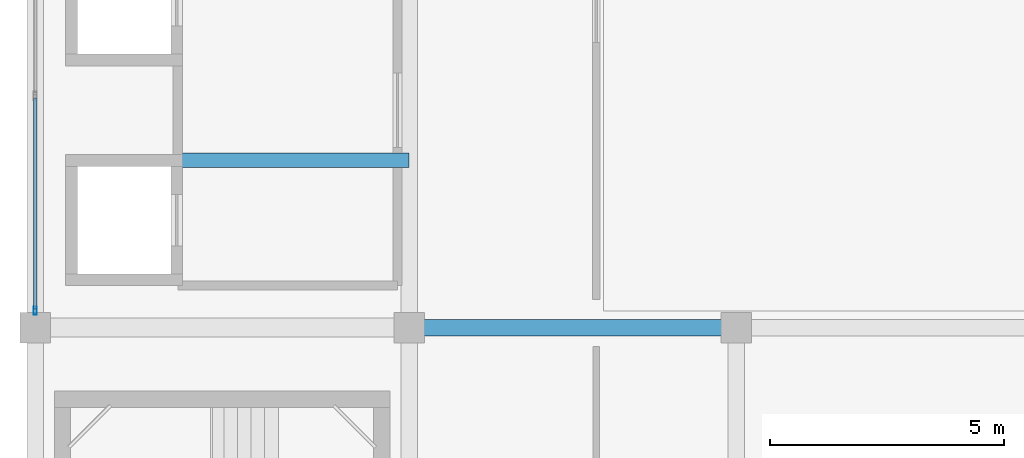
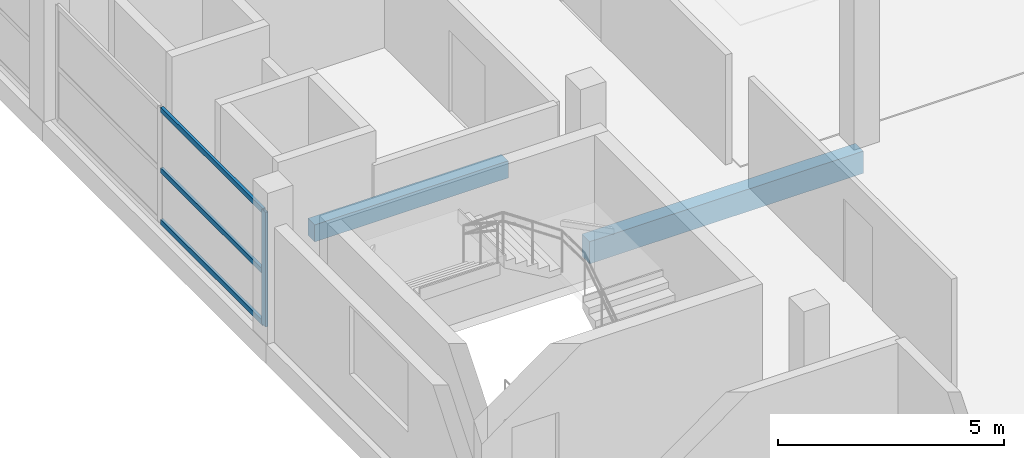
# One storey, part 6 of 66: 4 members, 2 beams, 1 element without a shape of its own.
"""IFC4 building model written with IfcOpenShell, lengths in metres."""

from ifc_helpers import new_model, si_unit, direction, frame, origin, origin_2d, place, context, subcontext, project, spatial, rectangle, hollow_rectangle, extrude, material, layer, layer_set, material_profile, profile_set, type_object, element, aggregate, save


model = new_model("IFC4")

# Units and contexts
model_context = context("Model", 3, precision=1e-05, world=origin(), true_north=direction((0.0, 1.0)))
body_context = subcontext(model_context, "Body", "Model", "MODEL_VIEW")
ifc_project = project(units=[si_unit("LENGTHUNIT", "METRE"), si_unit("AREAUNIT", "SQUARE_METRE"), si_unit("VOLUMEUNIT", "CUBIC_METRE"), si_unit("PLANEANGLEUNIT", "RADIAN"), si_unit("MASSUNIT", "GRAM", prefix="KILO")], contexts=[model_context])

# Site, building, storey
site_placement = place(None, origin())
site = spatial("IfcSite", under=ifc_project, at=site_placement, CompositionType="ELEMENT")
building_placement = place(site_placement, origin())
building = spatial("IfcBuilding", under=site, at=building_placement, Name="Sillaruma Civic Art Gallery", CompositionType="ELEMENT")
storey_placement = place(building_placement, frame((0.0, 0.0, 62.219970703125)))
storey = spatial("IfcBuildingStorey", under=building, at=storey_placement, Name="L12", CompositionType="ELEMENT", Elevation=62.219970703125)

# Beams
ifc_material_1 = material(Name="Concrete H35 (35 MPa)", Category="concrete")
ifc_material_profile_1 = material_profile(ifc_material_1, rectangle(XDim=0.35009765625, YDim=0.60009765625, at=origin_2d()), Name="RCB350x600")
ifc_profile_set_1 = profile_set([ifc_material_profile_1], Name="Concrete H35 (35 MPa)")
beam_type_1 = type_object("IfcBeamType", Name="BM-BEAM-RCB350x600", PredefinedType="BEAM", material=ifc_profile_set_1)
beam_1_placement = place(storey_placement, frame((70.0, 39.60009765625, -0.530029296875), z_axis=(1.0, 0.0, 0.0), x_axis=(0.0, 1.0, 0.0)))
element("IfcBeam", 1, at=beam_1_placement, inside=storey, type_object=beam_type_1, Name="Beam BM-06 (L11:5:G-H)", PredefinedType="BEAM", context=body_context, shape_type="SweptSolid", body=[
    extrude(rectangle(XDim=0.35009765625, YDim=0.60009765625, at=origin_2d()), origin(), (0.0, 0.0, 1.0), 7.0),
])
ifc_material_profile_2 = material_profile(ifc_material_1, rectangle(XDim=0.300048828125, YDim=0.4599609375, at=origin_2d()), Name="RCB300x460")
ifc_profile_set_2 = profile_set([ifc_material_profile_2], Name="Concrete H35 (35 MPa)")
beam_type_2 = type_object("IfcBeamType", Name="BM-LINTEL-RCB300x460", PredefinedType="LINTEL", material=ifc_profile_set_2)
beam_2_placement = place(storey_placement, frame((65.050048828125, 43.179931640625, -0.4599609375), z_axis=(1.0, 0.0, 0.0), x_axis=(0.0, 1.0, 0.0)))
element("IfcBeam", 2, at=beam_2_placement, inside=storey, type_object=beam_type_2, Name="Core Portal Coupling Lintel BL-01 (L11:PL1)", PredefinedType="LINTEL", context=body_context, shape_type="SweptSolid", body=[
    extrude(rectangle(XDim=0.300048828125, YDim=0.4599609375, at=origin_2d()), origin(), (0.0, 0.0, 1.0), 4.949951171875),
])

# Curtain wall, members
ifc_material_2 = material(Name="Thermally Broken Extruded Aluminium 6063-T6", Category="aluminium")
ifc_layer = layer(ifc_material_2, 0.179931640625, Name="Thermally Broken Extruded Aluminium 6063-T6")
ifc_layer_set = layer_set([ifc_layer], Name="Thermally Broken Extruded Aluminium 6063-T6")
curtain_wall_type = type_object("IfcCurtainWallType", Name="CW-UNI-90", PredefinedType="NOTDEFINED", material=ifc_layer_set)
curtain_wall_placement = place(storey_placement, origin())
curtain_wall = element("IfcCurtainWall", 3, at=curtain_wall_placement, inside=storey, type_object=curtain_wall_type, Name="Unitised Curtain Wall CW-90 (CW-L12-WBW-3)", PredefinedType="NOTDEFINED")
ifc_material_profile_3 = material_profile(ifc_material_2, hollow_rectangle(XDim=0.070068359375, YDim=0.179931640625, WallThickness=0.00390625, at=origin_2d()), Name="CWM70x180")
ifc_profile_set_3 = profile_set([ifc_material_profile_3], Name="Thermally Broken Extruded Aluminium 6063-T6")
member_type_1 = type_object("IfcMemberType", Name="MEM-MUL-CWM70x180", PredefinedType="MULLION", material=ifc_profile_set_3)
member_1_placement = place(storey_placement, frame((62.0, 39.9599609375, 0.0), z_axis=(0.0, 0.0, 1.0), x_axis=(-1.0, 0.0, 0.0)))
member_1 = element("IfcMember", 4, at=member_1_placement, type_object=member_type_1, Name="CW-90 mullion 1", PredefinedType="MULLION", context=body_context, shape_type="SweptSolid", body=[
    extrude(hollow_rectangle(XDim=0.070068359375, YDim=0.179931640625, WallThickness=0.00390625, at=origin_2d()), origin(), (0.0, 0.0, 1.0), 3.10009765625),
])
ifc_material_profile_4 = material_profile(ifc_material_2, hollow_rectangle(XDim=0.070068359375, YDim=0.139892578125, WallThickness=0.00390625, at=origin_2d()), Name="CWT70x140")
ifc_profile_set_4 = profile_set([ifc_material_profile_4], Name="Thermally Broken Extruded Aluminium 6063-T6")
member_type_2 = type_object("IfcMemberType", Name="MEM-TRN-CWT70x140", PredefinedType="USERDEFINED", material=ifc_profile_set_4)
member_2_placement = place(storey_placement, frame((62.0, 39.9951171875, 0.034912109375), z_axis=(0.0, 1.0, 0.0), x_axis=(-1.0, 0.0, 0.0)))
member_2 = element("IfcMember", 5, at=member_2_placement, type_object=member_type_2, Name="CW-90 transom 1.1", ObjectType="TRANSOM", PredefinedType="USERDEFINED", context=body_context, shape_type="SweptSolid", body=[
    extrude(hollow_rectangle(XDim=0.070068359375, YDim=0.139892578125, WallThickness=0.00390625, at=origin_2d()), origin(), (0.0, 0.0, 1.0), 4.519775390625),
])
member_3_placement = place(storey_placement, frame((62.0, 39.9951171875, 1.426025390625), z_axis=(0.0, 1.0, 0.0), x_axis=(-1.0, 0.0, 0.0)))
member_3 = element("IfcMember", 6, at=member_3_placement, type_object=member_type_2, Name="CW-90 transom 1.2", ObjectType="TRANSOM", PredefinedType="USERDEFINED", context=body_context, shape_type="SweptSolid", body=[
    extrude(hollow_rectangle(XDim=0.070068359375, YDim=0.139892578125, WallThickness=0.00390625, at=origin_2d()), origin(), (0.0, 0.0, 1.0), 4.519775390625),
])
member_4_placement = place(storey_placement, frame((62.0, 39.9951171875, 3.06494140625), z_axis=(0.0, 1.0, 0.0), x_axis=(-1.0, 0.0, 0.0)))
member_4 = element("IfcMember", 7, at=member_4_placement, type_object=member_type_2, Name="CW-90 transom 1.3", ObjectType="TRANSOM", PredefinedType="USERDEFINED", context=body_context, shape_type="SweptSolid", body=[
    extrude(hollow_rectangle(XDim=0.070068359375, YDim=0.139892578125, WallThickness=0.00390625, at=origin_2d()), origin(), (0.0, 0.0, 1.0), 4.519775390625),
])
aggregate(curtain_wall, [member_1, member_2, member_3, member_4])

save(model, "model.ifc")
